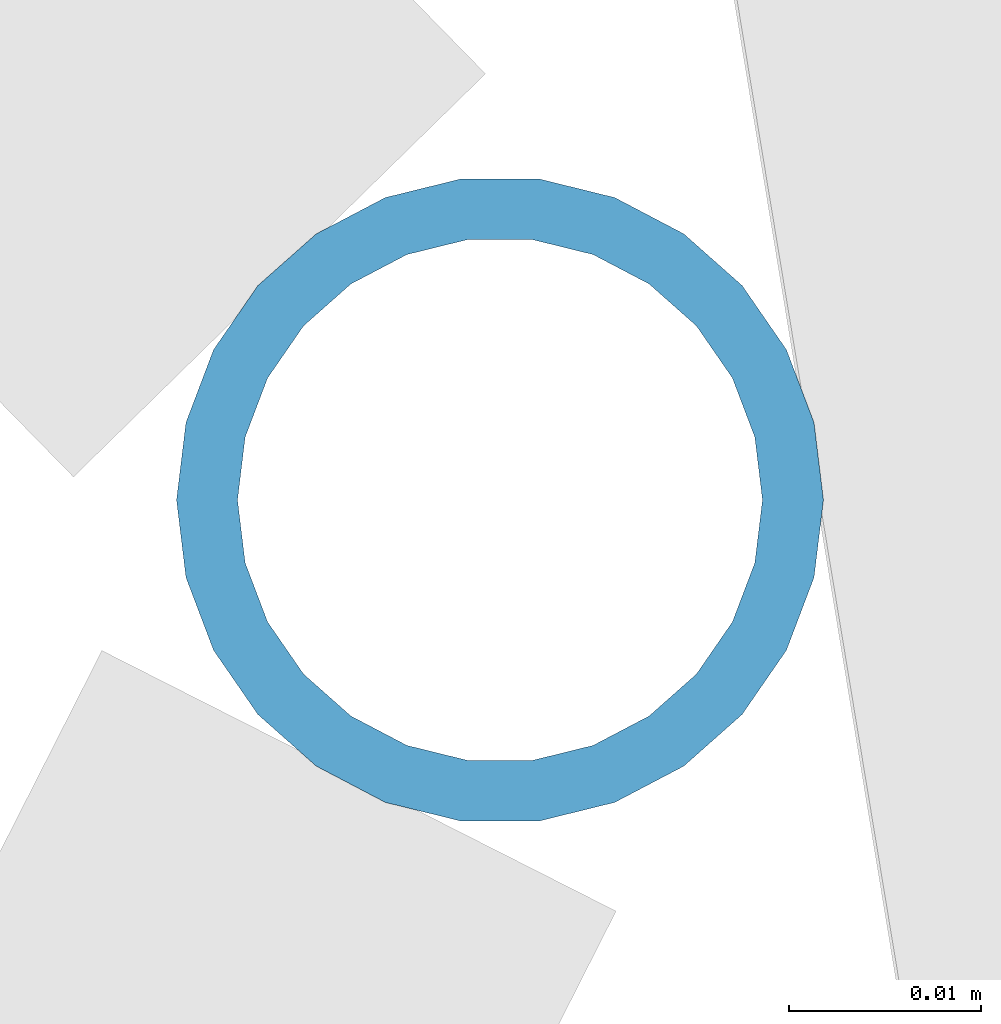
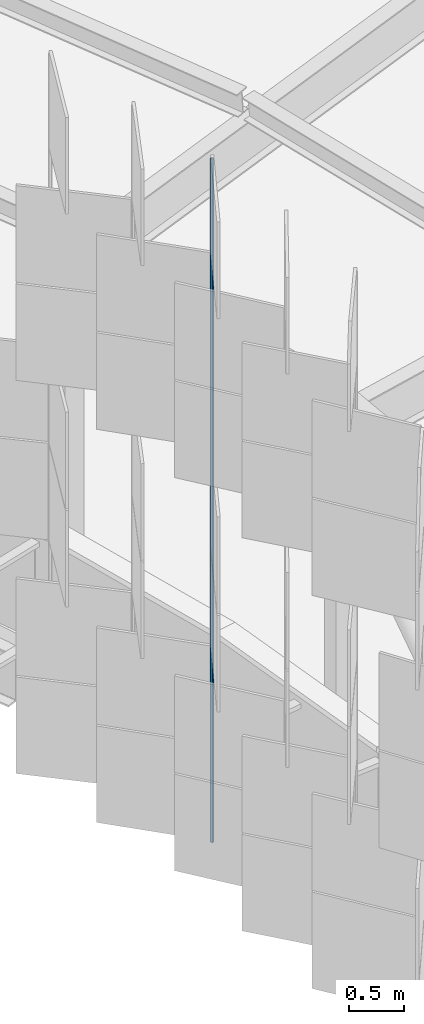
# One storey, part 206 of 483: 1 discrete accessory.
"""IFC4 building model written with IfcOpenShell, lengths in metres."""

from ifc_helpers import new_model, si_unit, direction, frame, origin, origin_2d, place, context, subcontext, project, spatial, hollow_circle, extrude, material, material_profile, profile_set, type_object, element, save


model = new_model("IFC4")

# Units and contexts
model_context = context("Model", 3, precision=1e-05, world=origin(), true_north=direction((0.0, 1.0)))
body_context = subcontext(model_context, "Body", "Model", "MODEL_VIEW")
ifc_project = project(units=[si_unit("LENGTHUNIT", "METRE"), si_unit("AREAUNIT", "SQUARE_METRE"), si_unit("VOLUMEUNIT", "CUBIC_METRE"), si_unit("PLANEANGLEUNIT", "RADIAN"), si_unit("MASSUNIT", "GRAM", prefix="KILO")], contexts=[model_context])

# Site, building, storey
site_placement = place(None, origin())
site = spatial("IfcSite", under=ifc_project, at=site_placement, CompositionType="ELEMENT")
building_placement = place(site_placement, origin())
building = spatial("IfcBuilding", under=site, at=building_placement, Name="Parallax Yard Mobility Hub", CompositionType="ELEMENT")
storey_placement = place(building_placement, frame((0.0, 0.0, 13.199951171875)))
storey = spatial("IfcBuildingStorey", under=building, at=storey_placement, Name="L04", CompositionType="ELEMENT", Elevation=13.199951171875)

# Discrete accessory
ifc_material = material(Name="Steel ASTM A500 Gr C, hot-dip galvanised", Category="steel")
ifc_material_profile = material_profile(ifc_material, hollow_circle(Radius=0.016845703125, WallThickness=0.003173828125, at=origin_2d()), Name="CHS 33.7x3.2")
ifc_profile_set = profile_set([ifc_material_profile], Name="Steel ASTM A500 Gr C, hot-dip galvanised")
discrete_accessory_type = type_object("IfcDiscreteAccessoryType", Name="Hinge post CHS 33.7x3.2", PredefinedType="BRACKET", material=ifc_profile_set)
discrete_accessory_placement = place(storey_placement, frame((193.724609375, 93.35693359375, 0.0), z_axis=(0.0, 0.0, 1.0), x_axis=(1.0, 0.0, 0.0)))
element("IfcDiscreteAccessory", 1, at=discrete_accessory_placement, inside=storey, type_object=discrete_accessory_type, Name="Hinge post bay 22.4 level L04", PredefinedType="BRACKET", context=body_context, shape_type="SweptSolid", body=[
    extrude(hollow_circle(Radius=0.016845703125, WallThickness=0.003173828125, at=origin_2d()), origin(), (0.0, 0.0, 1.0), 7.650146484375),
])

save(model, "model.ifc")
